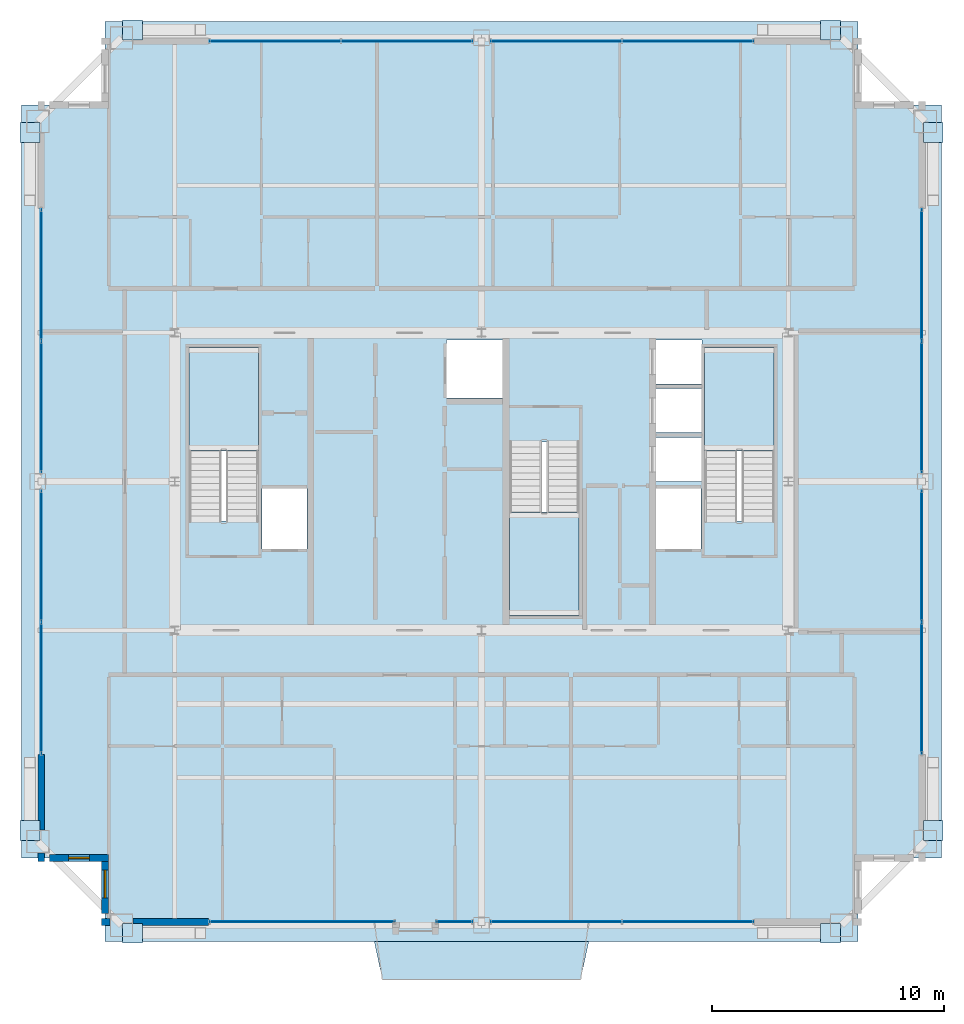
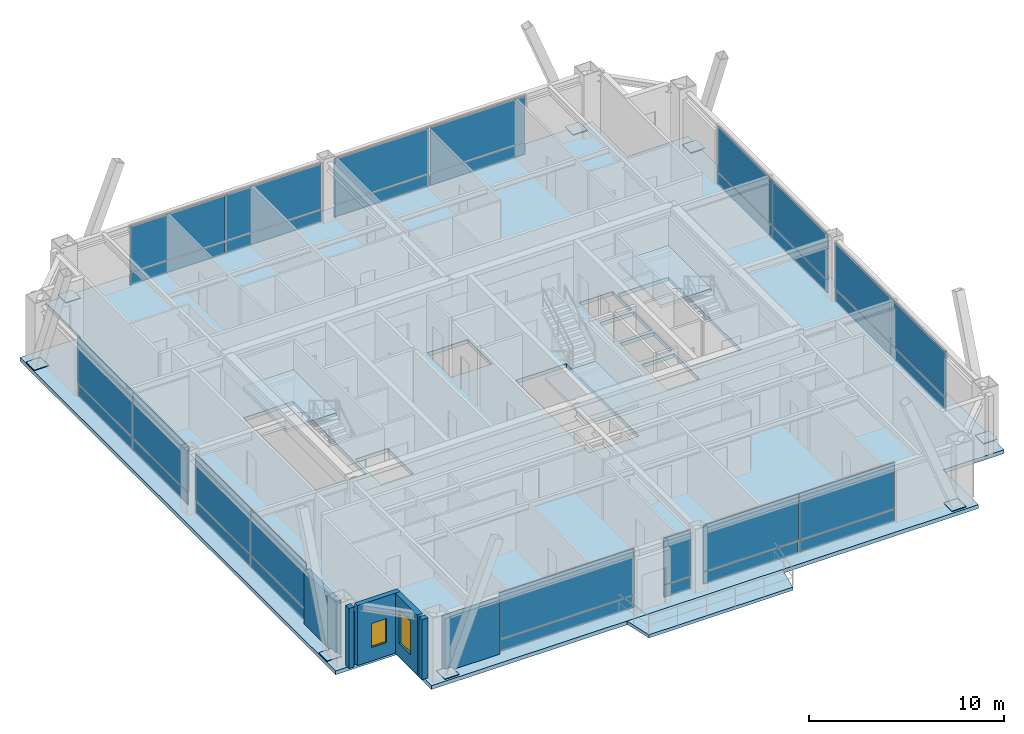
# One storey, part 29 of 35: 40 plates, 6 walls, 5 slabs, 2 windows, 2 openings, 12 elements without a shape of their own.
"""IFC4 building model written with IfcOpenShell, lengths in metres."""

from ifc_helpers import new_model, si_unit, direction, frame, frame_2d, origin, origin_2d, place, context, subcontext, project, spatial, polyline, rectangle, outline, extrude, source, transform, mapped, material, layer, layer_set, type_object, element, fill, aggregate, save


model = new_model("IFC4")

# Units and contexts
model_context = context("Model", 3, precision=1e-05, world=origin(), true_north=direction((0.0, 1.0)))
body_context = subcontext(model_context, "Body", "Model", "MODEL_VIEW")
ifc_project = project(units=[si_unit("LENGTHUNIT", "METRE"), si_unit("AREAUNIT", "SQUARE_METRE"), si_unit("VOLUMEUNIT", "CUBIC_METRE"), si_unit("PLANEANGLEUNIT", "RADIAN"), si_unit("MASSUNIT", "GRAM", prefix="KILO"), si_unit("THERMODYNAMICTEMPERATUREUNIT", "KELVIN"), si_unit("POWERUNIT", "WATT")], contexts=[model_context])

# Site, building, storey
site_placement = place(None, origin())
site = spatial("IfcSite", under=ifc_project, at=site_placement, CompositionType="ELEMENT")
building_placement = place(site_placement, origin())
building = spatial("IfcBuilding", under=site, at=building_placement, Name="Yuzanri Waterfront Tower", CompositionType="ELEMENT")
storey_placement = place(building_placement, frame((0.0, 0.0, 343.199951171875)))
storey = spatial("IfcBuildingStorey", under=building, at=storey_placement, Name="L92", CompositionType="ELEMENT", Elevation=343.199951171875)

# Slabs
ifc_material_1 = material(Name="Concrete C40", Category="concrete")
ifc_layer_1 = layer(ifc_material_1, 0.199951171875)
ifc_layer_set_1 = layer_set([ifc_layer_1], Name="Concrete C40")
slab_type_1 = type_object("IfcSlabType", Name="Concrete C40 Cantilevered Engawa Wave Terrace Slab 200", PredefinedType="FLOOR", material=ifc_layer_set_1)
slab_1_placement = place(storey_placement, frame((0.0, 0.0, -0.199951171875)))
element("IfcSlab", 1, at=slab_1_placement, inside=storey, type_object=slab_type_1, Name="L92 S Cantilevered Engawa Terrace Slab", PredefinedType="FLOOR", context=body_context, shape_type="SweptSolid", body=[
    extrude(outline(polyline([(32.384521484375, 6.0), (41.615478515625, 6.0), (41.265380859375, 4.368896484375), (32.734619140625, 4.368896484375), (32.384521484375, 6.0)])), origin(), (0.0, 0.0, 1.0), 0.199951171875),
])
ifc_material_2 = material(Name="Concrete C40", Category="concrete")
ifc_layer_2 = layer(ifc_material_2, 0.239990234375)
ifc_layer_set_2 = layer_set([ifc_layer_2], Name="Concrete C40")
slab_type_2 = type_object("IfcSlabType", Name="Concrete C40 Penthouse Acoustic Structural Floor Slab 240", PredefinedType="FLOOR", material=ifc_layer_set_2)
slab_2_placement = place(storey_placement, frame((0.0, 0.0, -0.239990234375)))
element("IfcSlab", 2, at=slab_2_placement, inside=storey, type_object=slab_type_2, Name="L92 Main Structural Floor Slab", PredefinedType="FLOOR", context=body_context, shape_type="SweptSolid", body=[
    extrude(outline(polyline([(20.800048828125, 6.0), (53.199951171875, 6.0), (53.199951171875, 9.60009765625), (56.800048828125, 9.60009765625), (56.800048828125, 42.0), (53.199951171875, 42.0), (53.199951171875, 45.60009765625), (20.800048828125, 45.60009765625), (20.800048828125, 42.0), (17.199951171875, 42.0), (17.199951171875, 9.60009765625), (20.800048828125, 9.60009765625), (20.800048828125, 6.0)]), holes=[polyline([(27.39990234375, 24.10009765625), (27.39990234375, 31.580078125), (24.39990234375, 31.580078125), (24.39990234375, 24.10009765625), (27.39990234375, 24.10009765625)]), polyline([(49.60009765625, 24.10009765625), (49.60009765625, 31.580078125), (46.60009765625, 31.580078125), (46.60009765625, 24.10009765625), (49.60009765625, 24.10009765625)]), polyline([(38.199951171875, 27.5), (38.199951171875, 20.02001953125), (41.199951171875, 20.02001953125), (41.199951171875, 27.5), (38.199951171875, 27.5)]), polyline([(27.56005859375, 22.89990234375), (29.47998046875, 22.89990234375), (29.47998046875, 25.5), (27.56005859375, 25.5), (27.56005859375, 22.89990234375)]), polyline([(44.52001953125, 22.89990234375), (46.43994140625, 22.89990234375), (46.43994140625, 25.5), (44.52001953125, 25.5), (44.52001953125, 22.89990234375)]), polyline([(35.5, 29.39990234375), (37.89990234375, 29.39990234375), (37.89990234375, 31.89990234375), (35.5, 31.89990234375), (35.5, 29.39990234375)]), polyline([(44.5, 25.800048828125), (46.5, 25.800048828125), (46.5, 27.699951171875), (44.5, 27.699951171875), (44.5, 25.800048828125)]), polyline([(44.5, 27.89990234375), (46.5, 27.89990234375), (46.5, 29.800048828125), (44.5, 29.800048828125), (44.5, 27.89990234375)]), polyline([(44.5, 30.0), (46.5, 30.0), (46.5, 31.89990234375), (44.5, 31.89990234375), (44.5, 30.0)])]), origin(), (0.0, 0.0, 1.0), 0.239990234375),
])

# Stair, slab
ifc_material_3 = material(Name="Concrete C40", Category="concrete")
stair_type = type_object("IfcStairType", Name="Concrete C40 Core Dogleg Exit Stair", PredefinedType="HALF_TURN_STAIR", material=ifc_material_3)
stair_1_placement = place(storey_placement, origin())
stair_1 = element("IfcStair", 3, at=stair_1_placement, inside=storey, type_object=stair_type, Name="L92 Smoke-Proof Core Stair ST-01", PredefinedType="HALF_TURN_STAIR")
ifc_material_4 = material(Name="Concrete C40", Category="concrete")
ifc_layer_3 = layer(ifc_material_4, 0.179931640625)
ifc_layer_set_3 = layer_set([ifc_layer_3], Name="Concrete C40")
slab_type_3 = type_object("IfcSlabType", Name="Concrete C40 Stair Half-Landing Slab 180", PredefinedType="LANDING", material=ifc_layer_set_3)
slab_3_placement = place(storey_placement, frame((0.0, 0.0, 1.800048828125)))
slab_3 = element("IfcSlab", 4, at=slab_3_placement, type_object=slab_type_3, Name="ST-01 landing 1", PredefinedType="LANDING", context=body_context, shape_type="SweptSolid", body=[
    extrude(outline(polyline([(27.39990234375, 27.1201171875), (27.39990234375, 31.580078125), (24.39990234375, 31.580078125), (24.39990234375, 27.1201171875), (27.39990234375, 27.1201171875)])), origin(), (0.0, 0.0, 1.0), 0.199951171875),
])
aggregate(stair_1, [slab_3])

stair_2_placement = place(storey_placement, origin())
stair_2 = element("IfcStair", 5, at=stair_2_placement, inside=storey, type_object=stair_type, Name="L92 Smoke-Proof Core Stair ST-02", PredefinedType="HALF_TURN_STAIR")
slab_4_placement = place(storey_placement, frame((0.0, 0.0, 1.800048828125)))
slab_4 = element("IfcSlab", 6, at=slab_4_placement, type_object=slab_type_3, Name="ST-02 landing 1", PredefinedType="LANDING", context=body_context, shape_type="SweptSolid", body=[
    extrude(outline(polyline([(49.60009765625, 27.1201171875), (49.60009765625, 31.580078125), (46.60009765625, 31.580078125), (46.60009765625, 27.1201171875), (49.60009765625, 27.1201171875)])), origin(), (0.0, 0.0, 1.0), 0.199951171875),
])
aggregate(stair_2, [slab_4])

stair_3_placement = place(storey_placement, origin())
stair_3 = element("IfcStair", 7, at=stair_3_placement, inside=storey, type_object=stair_type, Name="L92 Smoke-Proof Core Stair ST-03", PredefinedType="HALF_TURN_STAIR")
slab_5_placement = place(storey_placement, frame((0.0, 0.0, 1.800048828125)))
slab_5 = element("IfcSlab", 8, at=slab_5_placement, type_object=slab_type_3, Name="ST-03 landing 1", PredefinedType="LANDING", context=body_context, shape_type="SweptSolid", body=[
    extrude(outline(polyline([(38.199951171875, 24.47998046875), (38.199951171875, 20.02001953125), (41.199951171875, 20.02001953125), (41.199951171875, 24.47998046875), (38.199951171875, 24.47998046875)])), origin(), (0.0, 0.0, 1.0), 0.199951171875),
])
aggregate(stair_3, [slab_5])

# Plates
ifc_material_5 = material(Name="Steel Q420GJC", Category="steel")
ifc_layer_4 = layer(ifc_material_5, 0.0400390625)
ifc_layer_set_4 = layer_set([ifc_layer_4], Name="Steel Q420GJC")
plate_type_1 = type_object("IfcPlateType", Name="Steel Q420GJC Mega-Brace Gusset and End-Cap Plate 40", PredefinedType="SHEET", material=ifc_layer_set_4)
shared_shape_1 = source(origin(), body_context, "Body", "SweptSolid", [
    extrude(rectangle(XDim=0.85009765625, YDim=0.85009765625, at=origin_2d()), origin(), (0.0, 0.0, 1.0), 0.0400390625),
])
for number, where, z_axis, x_axis, name in (
    (9, (21.97998046875, 6.360107421875, 0.159912109375), (0.0, 0.0, 1.0), (1.0, 0.0, 0.0), "L92 Mega-Brace Foot Cap Plate S-L"),
    (10, (52.02001953125, 6.360107421875, 0.159912109375), (0.0, 0.0, 1.0), (1.0, 0.0, 0.0), "L92 Mega-Brace Foot Cap Plate S-R"),
    (11, (21.97998046875, 45.239990234375, 0.159912109375), (0.0, 0.0, 1.0), (1.0, 0.0, 0.0), "L92 Mega-Brace Foot Cap Plate N-L"),
    (12, (52.02001953125, 45.239990234375, 0.159912109375), (0.0, 0.0, 1.0), (1.0, 0.0, 0.0), "L92 Mega-Brace Foot Cap Plate N-R"),
    (13, (17.56005859375, 10.780029296875, 0.159912109375), (0.0, 0.0, 1.0), (1.0, 0.0, 0.0), "L92 Mega-Brace Foot Cap Plate W-L"),
    (14, (17.56005859375, 40.820068359375, 0.159912109375), (0.0, 0.0, 1.0), (1.0, 0.0, 0.0), "L92 Mega-Brace Foot Cap Plate W-R"),
    (15, (56.43994140625, 10.780029296875, 0.159912109375), (0.0, 0.0, 1.0), (1.0, 0.0, 0.0), "L92 Mega-Brace Foot Cap Plate E-L"),
    (16, (56.43994140625, 40.820068359375, 0.159912109375), (0.0, 0.0, 1.0), (1.0, 0.0, 0.0), "L92 Mega-Brace Foot Cap Plate E-R"),
):
    element("IfcPlate", number, at=place(storey_placement, frame(where, z_axis=z_axis, x_axis=x_axis)), inside=storey, type_object=plate_type_1, Name=name, PredefinedType="SHEET", context=body_context, shape_type="MappedRepresentation", body=[
        mapped(shared_shape_1, transform((0.0, 0.0, 0.0), scale=1.0)),
    ])

# Curtain wall, plates
ifc_material_6 = material(Name="Anodized Architectural Bronze", Category="metal")
ifc_layer_5 = layer(ifc_material_6, 0.159912109375)
ifc_layer_set_5 = layer_set([ifc_layer_5], Name="Anodized Architectural Bronze")
curtain_wall_type = type_object("IfcCurtainWallType", Name="Anodized Bronze High-Rise Penthouse High-Wind Unitized Curtain Wall 6900", PredefinedType="NOTDEFINED", material=ifc_layer_set_5)
curtain_wall_1_placement = place(storey_placement, origin())
curtain_wall_1 = element("IfcCurtainWall", 17, at=curtain_wall_1_placement, inside=storey, type_object=curtain_wall_type, Name="L92 Curtain Wall CW-L92-SR", PredefinedType="NOTDEFINED")
ifc_material_7 = material(Name="Anodized Architectural Bronze", Category="metal")
ifc_layer_6 = layer(ifc_material_7, 0.028076171875)
ifc_layer_set_6 = layer_set([ifc_layer_6], Name="Anodized Architectural Bronze")
plate_type_2 = type_object("IfcPlateType", Name="Bronze Insulated Spandrel Shadow-Box Panel 28", PredefinedType="CURTAIN_PANEL", material=ifc_layer_set_6)
shared_shape_2 = source(origin(), body_context, "Body", "SweptSolid", [
    extrude(rectangle(XDim=5.6201171875, YDim=0.028076171875, at=origin_2d()), origin(), (0.0, 0.0, 1.0), 0.739990234375),
])
plate_1_placement = place(storey_placement, frame((40.199951171875, 6.85009765625, 0.05029296875), z_axis=(0.0, 0.0, 1.0), x_axis=(1.0, 0.0, 0.0)))
plate_1 = element("IfcPlate", 18, at=plate_1_placement, type_object=plate_type_2, Name="CW-L92-SR Spandrel Panel 01", PredefinedType="CURTAIN_PANEL", context=body_context, shape_type="MappedRepresentation", body=[
    mapped(shared_shape_2, transform((0.0, 0.0, 0.0), scale=1.0)),
])
plate_2_placement = place(storey_placement, frame((45.89990234375, 6.85009765625, 0.05029296875), z_axis=(0.0, 0.0, 1.0), x_axis=(1.0, 0.0, 0.0)))
plate_2 = element("IfcPlate", 19, at=plate_2_placement, type_object=plate_type_2, Name="CW-L92-SR Spandrel Panel 02", PredefinedType="CURTAIN_PANEL", context=body_context, shape_type="MappedRepresentation", body=[
    mapped(shared_shape_2, transform((0.0, 0.0, 0.0), scale=1.0)),
])

curtain_wall_2_placement = place(storey_placement, origin())
curtain_wall_2 = element("IfcCurtainWall", 20, at=curtain_wall_2_placement, inside=storey, type_object=curtain_wall_type, Name="L92 Curtain Wall CW-L92-NL", PredefinedType="NOTDEFINED")
plate_3_placement = place(storey_placement, frame((28.10009765625, 44.75, 0.05029296875), z_axis=(0.0, 0.0, 1.0), x_axis=(1.0, 0.0, 0.0)))
plate_3 = element("IfcPlate", 21, at=plate_3_placement, type_object=plate_type_2, Name="CW-L92-NL Spandrel Panel 01", PredefinedType="CURTAIN_PANEL", context=body_context, shape_type="MappedRepresentation", body=[
    mapped(shared_shape_2, transform((0.0, 0.0, 0.0), scale=1.0)),
])
plate_4_placement = place(storey_placement, frame((33.800048828125, 44.75, 0.05029296875), z_axis=(0.0, 0.0, 1.0), x_axis=(1.0, 0.0, 0.0)))
plate_4 = element("IfcPlate", 22, at=plate_4_placement, type_object=plate_type_2, Name="CW-L92-NL Spandrel Panel 02", PredefinedType="CURTAIN_PANEL", context=body_context, shape_type="MappedRepresentation", body=[
    mapped(shared_shape_2, transform((0.0, 0.0, 0.0), scale=1.0)),
])

curtain_wall_3_placement = place(storey_placement, origin())
curtain_wall_3 = element("IfcCurtainWall", 23, at=curtain_wall_3_placement, inside=storey, type_object=curtain_wall_type, Name="L92 Curtain Wall CW-L92-NR", PredefinedType="NOTDEFINED")
plate_5_placement = place(storey_placement, frame((40.199951171875, 44.75, 0.05029296875), z_axis=(0.0, 0.0, 1.0), x_axis=(1.0, 0.0, 0.0)))
plate_5 = element("IfcPlate", 24, at=plate_5_placement, type_object=plate_type_2, Name="CW-L92-NR Spandrel Panel 01", PredefinedType="CURTAIN_PANEL", context=body_context, shape_type="MappedRepresentation", body=[
    mapped(shared_shape_2, transform((0.0, 0.0, 0.0), scale=1.0)),
])
plate_6_placement = place(storey_placement, frame((45.89990234375, 44.75, 0.05029296875), z_axis=(0.0, 0.0, 1.0), x_axis=(1.0, 0.0, 0.0)))
plate_6 = element("IfcPlate", 25, at=plate_6_placement, type_object=plate_type_2, Name="CW-L92-NR Spandrel Panel 02", PredefinedType="CURTAIN_PANEL", context=body_context, shape_type="MappedRepresentation", body=[
    mapped(shared_shape_2, transform((0.0, 0.0, 0.0), scale=1.0)),
])

curtain_wall_4_placement = place(storey_placement, origin())
curtain_wall_4 = element("IfcCurtainWall", 26, at=curtain_wall_4_placement, inside=storey, type_object=curtain_wall_type, Name="L92 Curtain Wall CW-L92-WL", PredefinedType="NOTDEFINED")
plate_7_placement = place(storey_placement, frame((18.050048828125, 16.89990234375, 0.05029296875), z_axis=(0.0, 0.0, 1.0), x_axis=(0.0, 1.0, 0.0)))
plate_7 = element("IfcPlate", 27, at=plate_7_placement, type_object=plate_type_2, Name="CW-L92-WL Spandrel Panel 01", PredefinedType="CURTAIN_PANEL", context=body_context, shape_type="MappedRepresentation", body=[
    mapped(shared_shape_2, transform((0.0, 0.0, 0.0), scale=1.0)),
])
plate_8_placement = place(storey_placement, frame((18.050048828125, 22.60009765625, 0.05029296875), z_axis=(0.0, 0.0, 1.0), x_axis=(0.0, 1.0, 0.0)))
plate_8 = element("IfcPlate", 28, at=plate_8_placement, type_object=plate_type_2, Name="CW-L92-WL Spandrel Panel 02", PredefinedType="CURTAIN_PANEL", context=body_context, shape_type="MappedRepresentation", body=[
    mapped(shared_shape_2, transform((0.0, 0.0, 0.0), scale=1.0)),
])

curtain_wall_5_placement = place(storey_placement, origin())
curtain_wall_5 = element("IfcCurtainWall", 29, at=curtain_wall_5_placement, inside=storey, type_object=curtain_wall_type, Name="L92 Curtain Wall CW-L92-WR", PredefinedType="NOTDEFINED")
plate_9_placement = place(storey_placement, frame((18.050048828125, 29.0, 0.05029296875), z_axis=(0.0, 0.0, 1.0), x_axis=(0.0, 1.0, 0.0)))
plate_9 = element("IfcPlate", 30, at=plate_9_placement, type_object=plate_type_2, Name="CW-L92-WR Spandrel Panel 01", PredefinedType="CURTAIN_PANEL", context=body_context, shape_type="MappedRepresentation", body=[
    mapped(shared_shape_2, transform((0.0, 0.0, 0.0), scale=1.0)),
])
plate_10_placement = place(storey_placement, frame((18.050048828125, 34.699951171875, 0.05029296875), z_axis=(0.0, 0.0, 1.0), x_axis=(0.0, 1.0, 0.0)))
plate_10 = element("IfcPlate", 31, at=plate_10_placement, type_object=plate_type_2, Name="CW-L92-WR Spandrel Panel 02", PredefinedType="CURTAIN_PANEL", context=body_context, shape_type="MappedRepresentation", body=[
    mapped(shared_shape_2, transform((0.0, 0.0, 0.0), scale=1.0)),
])

curtain_wall_6_placement = place(storey_placement, origin())
curtain_wall_6 = element("IfcCurtainWall", 32, at=curtain_wall_6_placement, inside=storey, type_object=curtain_wall_type, Name="L92 Curtain Wall CW-L92-EL", PredefinedType="NOTDEFINED")
plate_11_placement = place(storey_placement, frame((55.949951171875, 16.89990234375, 0.05029296875), z_axis=(0.0, 0.0, 1.0), x_axis=(0.0, 1.0, 0.0)))
plate_11 = element("IfcPlate", 33, at=plate_11_placement, type_object=plate_type_2, Name="CW-L92-EL Spandrel Panel 01", PredefinedType="CURTAIN_PANEL", context=body_context, shape_type="MappedRepresentation", body=[
    mapped(shared_shape_2, transform((0.0, 0.0, 0.0), scale=1.0)),
])
plate_12_placement = place(storey_placement, frame((55.949951171875, 22.60009765625, 0.05029296875), z_axis=(0.0, 0.0, 1.0), x_axis=(0.0, 1.0, 0.0)))
plate_12 = element("IfcPlate", 34, at=plate_12_placement, type_object=plate_type_2, Name="CW-L92-EL Spandrel Panel 02", PredefinedType="CURTAIN_PANEL", context=body_context, shape_type="MappedRepresentation", body=[
    mapped(shared_shape_2, transform((0.0, 0.0, 0.0), scale=1.0)),
])

curtain_wall_7_placement = place(storey_placement, origin())
curtain_wall_7 = element("IfcCurtainWall", 35, at=curtain_wall_7_placement, inside=storey, type_object=curtain_wall_type, Name="L92 Curtain Wall CW-L92-ER", PredefinedType="NOTDEFINED")
plate_13_placement = place(storey_placement, frame((55.949951171875, 29.0, 0.05029296875), z_axis=(0.0, 0.0, 1.0), x_axis=(0.0, 1.0, 0.0)))
plate_13 = element("IfcPlate", 36, at=plate_13_placement, type_object=plate_type_2, Name="CW-L92-ER Spandrel Panel 01", PredefinedType="CURTAIN_PANEL", context=body_context, shape_type="MappedRepresentation", body=[
    mapped(shared_shape_2, transform((0.0, 0.0, 0.0), scale=1.0)),
])
plate_14_placement = place(storey_placement, frame((55.949951171875, 34.699951171875, 0.05029296875), z_axis=(0.0, 0.0, 1.0), x_axis=(0.0, 1.0, 0.0)))
plate_14 = element("IfcPlate", 37, at=plate_14_placement, type_object=plate_type_2, Name="CW-L92-ER Spandrel Panel 02", PredefinedType="CURTAIN_PANEL", context=body_context, shape_type="MappedRepresentation", body=[
    mapped(shared_shape_2, transform((0.0, 0.0, 0.0), scale=1.0)),
])

# Plate
ifc_material_8 = material(Name="Triple Low-E Laminated Insulated Glass", Category="glass")
ifc_layer_7 = layer(ifc_material_8, 0.0439453125)
ifc_layer_set_7 = layer_set([ifc_layer_7], Name="Triple Low-E Laminated Insulated Glass")
plate_type_3 = type_object("IfcPlateType", Name="Triple Glazed Acoustic Vision Glass Panel 44", PredefinedType="CURTAIN_PANEL", material=ifc_layer_set_7)
shared_shape_3 = source(origin(), body_context, "Body", "SweptSolid", [
    extrude(rectangle(XDim=5.6201171875, YDim=0.0439453125, at=origin_2d()), origin(), (0.0, 0.0, 1.0), 2.860107421875),
])
plate_15_placement = place(storey_placement, frame((40.199951171875, 6.85009765625, 0.85009765625), z_axis=(0.0, 0.0, 1.0), x_axis=(1.0, 0.0, 0.0)))
plate_15 = element("IfcPlate", 38, at=plate_15_placement, type_object=plate_type_3, Name="CW-L92-SR Vision Glass Panel 01", PredefinedType="CURTAIN_PANEL", context=body_context, shape_type="MappedRepresentation", body=[
    mapped(shared_shape_3, transform((0.0, 0.0, 0.0), scale=1.0)),
])

plate_16_placement = place(storey_placement, frame((45.89990234375, 6.85009765625, 0.85009765625), z_axis=(0.0, 0.0, 1.0), x_axis=(1.0, 0.0, 0.0)))
plate_16 = element("IfcPlate", 39, at=plate_16_placement, type_object=plate_type_3, Name="CW-L92-SR Vision Glass Panel 02", PredefinedType="CURTAIN_PANEL", context=body_context, shape_type="MappedRepresentation", body=[
    mapped(shared_shape_3, transform((0.0, 0.0, 0.0), scale=1.0)),
])

aggregate(curtain_wall_1, [plate_1, plate_15, plate_2, plate_16])

plate_17_placement = place(storey_placement, frame((28.10009765625, 44.75, 0.85009765625), z_axis=(0.0, 0.0, 1.0), x_axis=(1.0, 0.0, 0.0)))
plate_17 = element("IfcPlate", 40, at=plate_17_placement, type_object=plate_type_3, Name="CW-L92-NL Vision Glass Panel 01", PredefinedType="CURTAIN_PANEL", context=body_context, shape_type="MappedRepresentation", body=[
    mapped(shared_shape_3, transform((0.0, 0.0, 0.0), scale=1.0)),
])

plate_18_placement = place(storey_placement, frame((33.800048828125, 44.75, 0.85009765625), z_axis=(0.0, 0.0, 1.0), x_axis=(1.0, 0.0, 0.0)))
plate_18 = element("IfcPlate", 41, at=plate_18_placement, type_object=plate_type_3, Name="CW-L92-NL Vision Glass Panel 02", PredefinedType="CURTAIN_PANEL", context=body_context, shape_type="MappedRepresentation", body=[
    mapped(shared_shape_3, transform((0.0, 0.0, 0.0), scale=1.0)),
])

aggregate(curtain_wall_2, [plate_3, plate_17, plate_4, plate_18])

plate_19_placement = place(storey_placement, frame((40.199951171875, 44.75, 0.85009765625), z_axis=(0.0, 0.0, 1.0), x_axis=(1.0, 0.0, 0.0)))
plate_19 = element("IfcPlate", 42, at=plate_19_placement, type_object=plate_type_3, Name="CW-L92-NR Vision Glass Panel 01", PredefinedType="CURTAIN_PANEL", context=body_context, shape_type="MappedRepresentation", body=[
    mapped(shared_shape_3, transform((0.0, 0.0, 0.0), scale=1.0)),
])

plate_20_placement = place(storey_placement, frame((45.89990234375, 44.75, 0.85009765625), z_axis=(0.0, 0.0, 1.0), x_axis=(1.0, 0.0, 0.0)))
plate_20 = element("IfcPlate", 43, at=plate_20_placement, type_object=plate_type_3, Name="CW-L92-NR Vision Glass Panel 02", PredefinedType="CURTAIN_PANEL", context=body_context, shape_type="MappedRepresentation", body=[
    mapped(shared_shape_3, transform((0.0, 0.0, 0.0), scale=1.0)),
])

aggregate(curtain_wall_3, [plate_5, plate_19, plate_6, plate_20])

plate_21_placement = place(storey_placement, frame((18.050048828125, 16.89990234375, 0.85009765625), z_axis=(0.0, 0.0, 1.0), x_axis=(0.0, 1.0, 0.0)))
plate_21 = element("IfcPlate", 44, at=plate_21_placement, type_object=plate_type_3, Name="CW-L92-WL Vision Glass Panel 01", PredefinedType="CURTAIN_PANEL", context=body_context, shape_type="MappedRepresentation", body=[
    mapped(shared_shape_3, transform((0.0, 0.0, 0.0), scale=1.0)),
])

plate_22_placement = place(storey_placement, frame((18.050048828125, 22.60009765625, 0.85009765625), z_axis=(0.0, 0.0, 1.0), x_axis=(0.0, 1.0, 0.0)))
plate_22 = element("IfcPlate", 45, at=plate_22_placement, type_object=plate_type_3, Name="CW-L92-WL Vision Glass Panel 02", PredefinedType="CURTAIN_PANEL", context=body_context, shape_type="MappedRepresentation", body=[
    mapped(shared_shape_3, transform((0.0, 0.0, 0.0), scale=1.0)),
])

aggregate(curtain_wall_4, [plate_7, plate_21, plate_8, plate_22])

plate_23_placement = place(storey_placement, frame((18.050048828125, 29.0, 0.85009765625), z_axis=(0.0, 0.0, 1.0), x_axis=(0.0, 1.0, 0.0)))
plate_23 = element("IfcPlate", 46, at=plate_23_placement, type_object=plate_type_3, Name="CW-L92-WR Vision Glass Panel 01", PredefinedType="CURTAIN_PANEL", context=body_context, shape_type="MappedRepresentation", body=[
    mapped(shared_shape_3, transform((0.0, 0.0, 0.0), scale=1.0)),
])

plate_24_placement = place(storey_placement, frame((18.050048828125, 34.699951171875, 0.85009765625), z_axis=(0.0, 0.0, 1.0), x_axis=(0.0, 1.0, 0.0)))
plate_24 = element("IfcPlate", 47, at=plate_24_placement, type_object=plate_type_3, Name="CW-L92-WR Vision Glass Panel 02", PredefinedType="CURTAIN_PANEL", context=body_context, shape_type="MappedRepresentation", body=[
    mapped(shared_shape_3, transform((0.0, 0.0, 0.0), scale=1.0)),
])

aggregate(curtain_wall_5, [plate_9, plate_23, plate_10, plate_24])

plate_25_placement = place(storey_placement, frame((55.949951171875, 16.89990234375, 0.85009765625), z_axis=(0.0, 0.0, 1.0), x_axis=(0.0, 1.0, 0.0)))
plate_25 = element("IfcPlate", 48, at=plate_25_placement, type_object=plate_type_3, Name="CW-L92-EL Vision Glass Panel 01", PredefinedType="CURTAIN_PANEL", context=body_context, shape_type="MappedRepresentation", body=[
    mapped(shared_shape_3, transform((0.0, 0.0, 0.0), scale=1.0)),
])

plate_26_placement = place(storey_placement, frame((55.949951171875, 22.60009765625, 0.85009765625), z_axis=(0.0, 0.0, 1.0), x_axis=(0.0, 1.0, 0.0)))
plate_26 = element("IfcPlate", 49, at=plate_26_placement, type_object=plate_type_3, Name="CW-L92-EL Vision Glass Panel 02", PredefinedType="CURTAIN_PANEL", context=body_context, shape_type="MappedRepresentation", body=[
    mapped(shared_shape_3, transform((0.0, 0.0, 0.0), scale=1.0)),
])

aggregate(curtain_wall_6, [plate_11, plate_25, plate_12, plate_26])

plate_27_placement = place(storey_placement, frame((55.949951171875, 29.0, 0.85009765625), z_axis=(0.0, 0.0, 1.0), x_axis=(0.0, 1.0, 0.0)))
plate_27 = element("IfcPlate", 50, at=plate_27_placement, type_object=plate_type_3, Name="CW-L92-ER Vision Glass Panel 01", PredefinedType="CURTAIN_PANEL", context=body_context, shape_type="MappedRepresentation", body=[
    mapped(shared_shape_3, transform((0.0, 0.0, 0.0), scale=1.0)),
])

plate_28_placement = place(storey_placement, frame((55.949951171875, 34.699951171875, 0.85009765625), z_axis=(0.0, 0.0, 1.0), x_axis=(0.0, 1.0, 0.0)))
plate_28 = element("IfcPlate", 51, at=plate_28_placement, type_object=plate_type_3, Name="CW-L92-ER Vision Glass Panel 02", PredefinedType="CURTAIN_PANEL", context=body_context, shape_type="MappedRepresentation", body=[
    mapped(shared_shape_3, transform((0.0, 0.0, 0.0), scale=1.0)),
])

aggregate(curtain_wall_7, [plate_13, plate_27, plate_14, plate_28])

# Curtain wall, plates
curtain_wall_8_placement = place(storey_placement, origin())
curtain_wall_8 = element("IfcCurtainWall", 52, at=curtain_wall_8_placement, inside=storey, type_object=curtain_wall_type, Name="L92 Curtain Wall CW-L92-SL1", PredefinedType="NOTDEFINED")
shared_shape_4 = source(origin(), body_context, "Body", "SweptSolid", [
    extrude(rectangle(XDim=7.97900390625, YDim=0.028076171875, at=origin_2d()), origin(), (0.0, 0.0, 1.0), 0.739990234375),
])
plate_29_placement = place(storey_placement, frame((29.279541015625, 6.85009765625, 0.05029296875), z_axis=(0.0, 0.0, 1.0), x_axis=(1.0, 0.0, 0.0)))
plate_29 = element("IfcPlate", 53, at=plate_29_placement, type_object=plate_type_2, Name="CW-L92-SL1 Spandrel Panel 01", PredefinedType="CURTAIN_PANEL", context=body_context, shape_type="MappedRepresentation", body=[
    mapped(shared_shape_4, transform((0.0, 0.0, 0.0), scale=1.0)),
])
shared_shape_5 = source(origin(), body_context, "Body", "SweptSolid", [
    extrude(rectangle(XDim=7.97900390625, YDim=0.0439453125, at=origin_2d()), origin(), (0.0, 0.0, 1.0), 2.860107421875),
])
plate_30_placement = place(storey_placement, frame((29.279541015625, 6.85009765625, 0.85009765625), z_axis=(0.0, 0.0, 1.0), x_axis=(1.0, 0.0, 0.0)))
plate_30 = element("IfcPlate", 54, at=plate_30_placement, type_object=plate_type_3, Name="CW-L92-SL1 Vision Glass Panel 01", PredefinedType="CURTAIN_PANEL", context=body_context, shape_type="MappedRepresentation", body=[
    mapped(shared_shape_5, transform((0.0, 0.0, 0.0), scale=1.0)),
])
aggregate(curtain_wall_8, [plate_29, plate_30])

curtain_wall_9_placement = place(storey_placement, origin())
curtain_wall_9 = element("IfcCurtainWall", 55, at=curtain_wall_9_placement, inside=storey, type_object=curtain_wall_type, Name="L92 Curtain Wall CW-L92-SL2", PredefinedType="NOTDEFINED")
shared_shape_6 = source(origin(), body_context, "Body", "SweptSolid", [
    extrude(rectangle(XDim=1.56103515625, YDim=0.028076171875, at=origin_2d()), origin(), (0.0, 0.0, 1.0), 0.739990234375),
])
plate_31_placement = place(storey_placement, frame((35.82958984375, 6.85009765625, 0.05029296875), z_axis=(0.0, 0.0, 1.0), x_axis=(1.0, 0.0, 0.0)))
plate_31 = element("IfcPlate", 56, at=plate_31_placement, type_object=plate_type_2, Name="CW-L92-SL2 Spandrel Panel 01", PredefinedType="CURTAIN_PANEL", context=body_context, shape_type="MappedRepresentation", body=[
    mapped(shared_shape_6, transform((0.0, 0.0, 0.0), scale=1.0)),
])
shared_shape_7 = source(origin(), body_context, "Body", "SweptSolid", [
    extrude(rectangle(XDim=1.56103515625, YDim=0.0439453125, at=origin_2d()), origin(), (0.0, 0.0, 1.0), 2.860107421875),
])
plate_32_placement = place(storey_placement, frame((35.82958984375, 6.85009765625, 0.85009765625), z_axis=(0.0, 0.0, 1.0), x_axis=(1.0, 0.0, 0.0)))
plate_32 = element("IfcPlate", 57, at=plate_32_placement, type_object=plate_type_3, Name="CW-L92-SL2 Vision Glass Panel 01", PredefinedType="CURTAIN_PANEL", context=body_context, shape_type="MappedRepresentation", body=[
    mapped(shared_shape_7, transform((0.0, 0.0, 0.0), scale=1.0)),
])
aggregate(curtain_wall_9, [plate_31, plate_32])

# Wall, opening, window
ifc_material_9 = material(Name="Honed Chongqing Dark Basalt Stone", Category="masonry")
ifc_layer_8 = layer(ifc_material_9, 0.300048828125)
ifc_layer_set_8 = layer_set([ifc_layer_8], Name="Honed Chongqing Dark Basalt Stone")
wall_type = type_object("IfcWallType", Name="Bronze Rainscreen Insulated Spandrel Portal Wall 300", PredefinedType="SOLIDWALL", material=ifc_layer_set_8)
wall_1_placement = place(storey_placement, frame((18.39990234375, 9.60009765625, 0.0), z_axis=(0.0, 0.0, 1.0), x_axis=(1.0, 0.0, 0.0)))
wall_1 = element("IfcWall", 58, at=wall_1_placement, inside=storey, type_object=wall_type, Name="L92 Notched Corner Masonry Wall SW-X", PredefinedType="SOLIDWALL", context=body_context, shape_type="SweptSolid", body=[
    extrude(rectangle(XDim=2.550048828125, YDim=0.300048828125, at=frame_2d((1.27490234375, 0.0))), origin(), (0.0, 0.0, 1.0), 3.760009765625),
])
opening_1_placement = place(wall_1_placement, frame((0.824951171875, 0.0, 0.85009765625)))
opening_1 = element("IfcOpeningElement", 59, at=opening_1_placement, cuts=wall_1, Name="Opening WN-05", PredefinedType="OPENING", context=body_context, shape_type="SweptSolid", body=[
    extrude(rectangle(XDim=0.89990234375, YDim=1.5, at=frame_2d((0.449951171875, 0.75))), frame((0.0, 0.1650390625, 0.0), z_axis=(0.0, -1.0, 0.0), x_axis=(1.0, 0.0, 0.0)), (0.0, 0.0, 1.0), 0.329833984375),
])
ifc_material_10 = material(Name="Double-Silver Low-E Insulated Glass", Category="glass")
window_type_1 = type_object("IfcWindowType", Name="Anodized Bronze Service and Stairwell Smoke-Vent Window 900x1500", PartitioningType="SINGLE_PANEL", PredefinedType="WINDOW", material=ifc_material_10)
shared_shape_8 = source(origin(), body_context, "Body", "SweptSolid", [
    extrude(rectangle(XDim=0.89990234375, YDim=1.5, at=frame_2d((0.449951171875, 0.75))), frame((0.0, 0.030029296875, 0.0), z_axis=(0.0, -1.0, 0.0), x_axis=(1.0, 0.0, 0.0)), (0.0, 0.0, 1.0), 0.06005859375),
])
window_1_placement = place(opening_1_placement, origin())
window_1 = element("IfcWindow", 60, at=window_1_placement, inside=storey, type_object=window_type_1, Name="L92 Notched Corner Window SW-X", OverallHeight=1.5, OverallWidth=0.89990234375, PartitioningType="SINGLE_PANEL", PredefinedType="WINDOW", context=body_context, shape_type="MappedRepresentation", body=[
    mapped(shared_shape_8, transform((0.0, 0.0, 0.0), scale=1.0)),
])
fill(opening_1, window_1)

wall_2_placement = place(storey_placement, frame((20.800048828125, 9.75, 0.0), z_axis=(0.0, 0.0, 1.0), x_axis=(0.0, -1.0, 0.0)))
wall_2 = element("IfcWall", 61, at=wall_2_placement, inside=storey, type_object=wall_type, Name="L92 Notched Corner Masonry Wall SW-Y", PredefinedType="SOLIDWALL", context=body_context, shape_type="SweptSolid", body=[
    extrude(rectangle(XDim=2.550048828125, YDim=0.300048828125, at=frame_2d((1.27490234375, 0.0))), origin(), (0.0, 0.0, 1.0), 3.760009765625),
])
opening_2_placement = place(wall_2_placement, frame((0.675048828125, 0.0, 0.85009765625)))
opening_2 = element("IfcOpeningElement", 62, at=opening_2_placement, cuts=wall_2, Name="Opening WN-02", PredefinedType="OPENING", context=body_context, shape_type="SweptSolid", body=[
    extrude(rectangle(XDim=1.199951171875, YDim=2.10009765625, at=frame_2d((0.60009765625, 1.050048828125))), frame((0.0, 0.1650390625, 0.0), z_axis=(0.0, -1.0, 0.0), x_axis=(1.0, 0.0, 0.0)), (0.0, 0.0, 1.0), 0.329833984375),
])
ifc_material_11 = material(Name="Double-Silver Low-E Insulated Glass", Category="glass")
window_type_2 = type_object("IfcWindowType", Name="Anodized Bronze Notched Corner Deep-Set Slot Window 1200x2100", PartitioningType="SINGLE_PANEL", PredefinedType="WINDOW", material=ifc_material_11)
shared_shape_9 = source(origin(), body_context, "Body", "SweptSolid", [
    extrude(rectangle(XDim=1.199951171875, YDim=2.10009765625, at=frame_2d((0.60009765625, 1.050048828125))), frame((0.0, 0.030029296875, 0.0), z_axis=(0.0, -1.0, 0.0), x_axis=(1.0, 0.0, 0.0)), (0.0, 0.0, 1.0), 0.06005859375),
])
window_2_placement = place(opening_2_placement, origin())
window_2 = element("IfcWindow", 63, at=window_2_placement, inside=storey, type_object=window_type_2, Name="L92 Notched Corner Window SW-Y", OverallHeight=2.10009765625, OverallWidth=1.199951171875, PartitioningType="SINGLE_PANEL", PredefinedType="WINDOW", context=body_context, shape_type="MappedRepresentation", body=[
    mapped(shared_shape_9, transform((0.0, 0.0, 0.0), scale=1.0)),
])
fill(opening_2, window_2)

# Walls
shared_shape_10 = source(origin(), body_context, "Body", "SweptSolid", [
    extrude(rectangle(XDim=0.35009765625, YDim=0.300048828125, at=frame_2d((0.175048828125, 0.0))), origin(), (0.0, 0.0, 1.0), 3.760009765625),
])
for number, where, z_axis, x_axis, name in (
    (64, (20.64990234375, 6.85009765625, 0.0), (0.0, 0.0, 1.0), (1.0, 0.0, 0.0), "L92 Corner Column Shoulder Return CSW"),
    (65, (18.050048828125, 9.449951171875, 0.0), (0.0, 0.0, 1.0), (0.0, 1.0, 0.0), "L92 Corner Column Shoulder Return CWS"),
):
    element("IfcWall", number, at=place(storey_placement, frame(where, z_axis=z_axis, x_axis=x_axis)), inside=storey, type_object=wall_type, Name=name, PredefinedType="SOLIDWALL", context=body_context, shape_type="MappedRepresentation", body=[
        mapped(shared_shape_10, transform((0.0, 0.0, 0.0), scale=1.0)),
    ])
shared_shape_11 = source(origin(), body_context, "Body", "SweptSolid", [
    extrude(rectangle(XDim=3.25, YDim=0.300048828125, at=frame_2d((1.625, 0.0))), origin(), (0.0, 0.0, 1.0), 3.364990234375),
])
for number, where, z_axis, x_axis, name in (
    (66, (22.0, 6.85009765625, 0.0), (0.0, 0.0, 1.0), (1.0, 0.0, 0.0), "L92 S Left Braced Masonry Shoulder"),
    (67, (18.050048828125, 10.800048828125, 0.0), (0.0, 0.0, 1.0), (0.0, 1.0, 0.0), "L92 W Left Braced Masonry Shoulder"),
):
    element("IfcWall", number, at=place(storey_placement, frame(where, z_axis=z_axis, x_axis=x_axis)), inside=storey, type_object=wall_type, Name=name, PredefinedType="SOLIDWALL", context=body_context, shape_type="MappedRepresentation", body=[
        mapped(shared_shape_11, transform((0.0, 0.0, 0.0), scale=1.0)),
    ])

save(model, "model.ifc")
